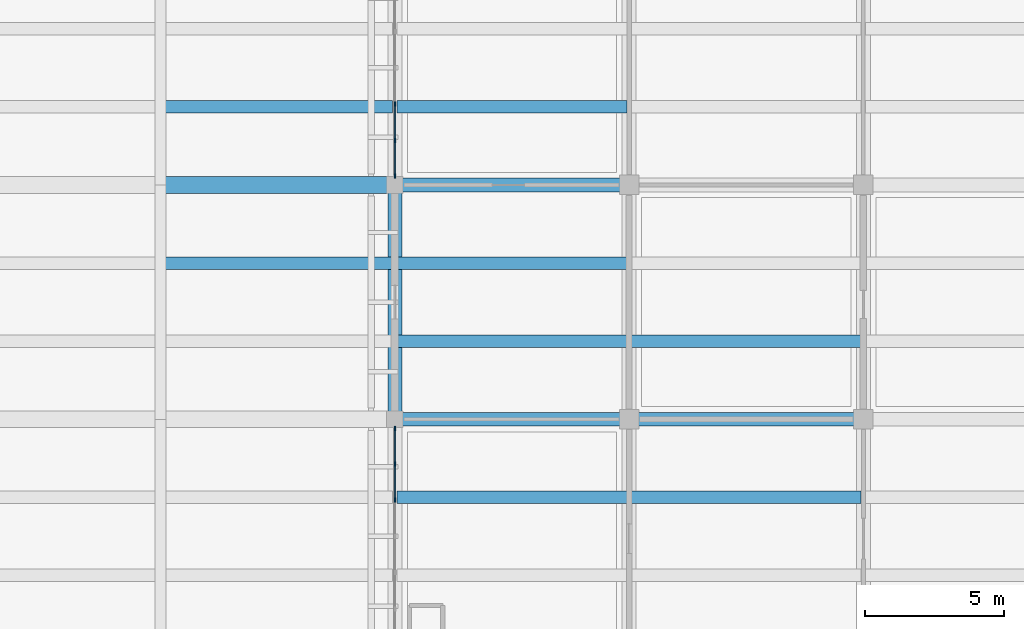
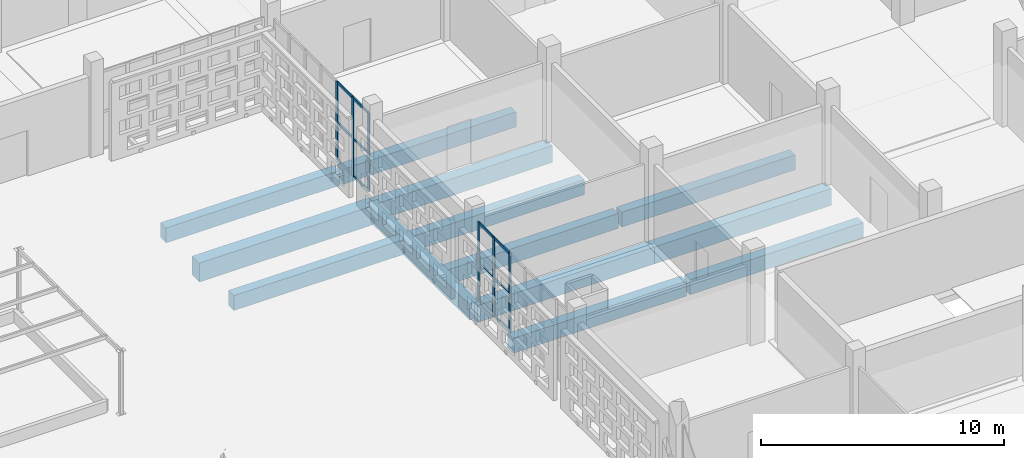
# One storey, part 41 of 129: 18 members, 13 beams, 2 elements without a shape of their own.
"""IFC4 building model written with IfcOpenShell, lengths in metres."""

from ifc_helpers import new_model, si_unit, direction, frame, origin, origin_2d, place, context, subcontext, project, spatial, rectangle, extrude, material, layer, layer_set, material_profile, profile_set, type_object, element, aggregate, save


model = new_model("IFC4")

# Units and contexts
model_context = context("Model", 3, precision=1e-05, world=origin(), true_north=direction((0.0, 1.0)))
body_context = subcontext(model_context, "Body", "Model", "MODEL_VIEW")
ifc_project = project(units=[si_unit("LENGTHUNIT", "METRE"), si_unit("AREAUNIT", "SQUARE_METRE"), si_unit("VOLUMEUNIT", "CUBIC_METRE"), si_unit("PLANEANGLEUNIT", "RADIAN"), si_unit("MASSUNIT", "GRAM", prefix="KILO")], contexts=[model_context])

# Site, building, storey
site_placement = place(None, origin())
site = spatial("IfcSite", under=ifc_project, at=site_placement, CompositionType="ELEMENT")
building_placement = place(site_placement, origin())
building = spatial("IfcBuilding", under=site, at=building_placement, Name="Varnapada Polytechnic", CompositionType="ELEMENT")
storey_placement = place(building_placement, origin())
storey = spatial("IfcBuildingStorey", under=building, at=storey_placement, Name="L00", CompositionType="ELEMENT", Elevation=0.0)

# Beams
ifc_material_1 = material(Name="Concrete C40/50", Category="concrete")
ifc_material_profile_1 = material_profile(ifc_material_1, rectangle(XDim=0.449951171875, YDim=0.75, at=origin_2d()), Name="RC 450x750")
ifc_profile_set_1 = profile_set([ifc_material_profile_1], Name="Concrete C40/50")
beam_type_1 = type_object("IfcBeamType", Name="Basement/podium secondary beam BB-01 (RC 450x750)", PredefinedType="BEAM", material=ifc_profile_set_1)
for number, where, z_axis, x_axis, name in (
    (1, (126.080078125, 72.800048828125, -0.675048828125), (1.0, 0.0, 0.0), (0.0, 1.0, 0.0), "L00 floor joist 16/9.2"),
    (2, (126.080078125, 78.39990234375, -0.675048828125), (1.0, 0.0, 0.0), (0.0, 1.0, 0.0), "L00 floor joist 16/10.1"),
    (3, (134.47998046875, 64.39990234375, -0.675048828125), (1.0, 0.0, 0.0), (0.0, 1.0, 0.0), "L00 floor joist 17/8.2"),
    (4, (134.47998046875, 70.0, -0.675048828125), (1.0, 0.0, 0.0), (0.0, 1.0, 0.0), "L00 floor joist 17/9.1"),
    (5, (134.47998046875, 72.800048828125, -0.675048828125), (1.0, 0.0, 0.0), (0.0, 1.0, 0.0), "L00 floor joist 17/9.2"),
    (6, (134.47998046875, 78.39990234375, -0.675048828125), (1.0, 0.0, 0.0), (0.0, 1.0, 0.0), "L00 floor joist 17/10.1"),
):
    element("IfcBeam", number, at=place(storey_placement, frame(where, z_axis=z_axis, x_axis=x_axis)), inside=storey, type_object=beam_type_1, Name=name, PredefinedType="BEAM", context=body_context, shape_type="SweptSolid", body=[
        extrude(rectangle(XDim=0.449951171875, YDim=0.75, at=origin_2d()), origin(), (0.0, 0.0, 1.0), 8.239990234375),
    ])
for number, where, z_axis, x_axis, name in (
    (7, (142.8798828125, 64.39990234375, -0.675048828125), (1.0, 0.0, 0.0), (0.0, 1.0, 0.0), "L00 floor joist 18/8.2"),
    (8, (142.8798828125, 70.0, -0.675048828125), (1.0, 0.0, 0.0), (0.0, 1.0, 0.0), "L00 floor joist 18/9.1"),
):
    element("IfcBeam", number, at=place(storey_placement, frame(where, z_axis=z_axis, x_axis=x_axis)), inside=storey, type_object=beam_type_1, Name=name, PredefinedType="BEAM", context=body_context, shape_type="SweptSolid", body=[
        extrude(rectangle(XDim=0.449951171875, YDim=0.75, at=origin_2d()), origin(), (0.0, 0.0, 1.0), 8.240234375),
    ])

# Curtain wall, members
ifc_material_2 = material(Name="Double low-E laminated glass", Category="glass")
ifc_layer = layer(ifc_material_2, 0.159912109375)
ifc_layer_set = layer_set([ifc_layer], Name="Double low-E laminated glass")
curtain_wall_type = type_object("IfcCurtainWallType", Name="Curtain Wall CW-01", PredefinedType="NOTDEFINED", material=ifc_layer_set)
curtain_wall_1_placement = place(storey_placement, origin())
curtain_wall_1 = element("IfcCurtainWall", 9, at=curtain_wall_1_placement, inside=storey, type_object=curtain_wall_type, Name="L00 unitised curtain wall CW-01 (17)", PredefinedType="NOTDEFINED")
ifc_material_3 = material(Name="Anodised aluminium", Category="aluminium")
ifc_material_profile_2 = material_profile(ifc_material_3, rectangle(XDim=0.06005859375, YDim=0.159912109375, at=origin_2d()), Name="ALU M60x160")
ifc_profile_set_2 = profile_set([ifc_material_profile_2], Name="Anodised aluminium")
member_type_1 = type_object("IfcMemberType", Name="Mullion M-01", PredefinedType="MULLION", material=ifc_profile_set_2)
member_1_placement = place(storey_placement, frame((134.39990234375, 64.300048828125, 0.0), z_axis=(0.0, 0.0, 1.0), x_axis=(-1.0, 0.0, 0.0)))
member_1 = element("IfcMember", 10, at=member_1_placement, type_object=member_type_1, Name="CW-01 mullion 5", PredefinedType="MULLION", context=body_context, shape_type="SweptSolid", body=[
    extrude(rectangle(XDim=0.06005859375, YDim=0.159912109375, at=origin_2d()), origin(), (0.0, 0.0, 1.0), 3.9599609375),
])
member_2_placement = place(storey_placement, frame((134.39990234375, 65.60009765625, 0.0), z_axis=(0.0, 0.0, 1.0), x_axis=(-1.0, 0.0, 0.0)))
member_2 = element("IfcMember", 11, at=member_2_placement, type_object=member_type_1, Name="CW-01 mullion 6", PredefinedType="MULLION", context=body_context, shape_type="SweptSolid", body=[
    extrude(rectangle(XDim=0.06005859375, YDim=0.159912109375, at=origin_2d()), origin(), (0.0, 0.0, 1.0), 3.9599609375),
])
member_3_placement = place(storey_placement, frame((134.39990234375, 66.8701171875, 0.0), z_axis=(0.0, 0.0, 1.0), x_axis=(-1.0, 0.0, 0.0)))
member_3 = element("IfcMember", 12, at=member_3_placement, type_object=member_type_1, Name="CW-01 mullion 7", PredefinedType="MULLION", context=body_context, shape_type="SweptSolid", body=[
    extrude(rectangle(XDim=0.06005859375, YDim=0.159912109375, at=origin_2d()), origin(), (0.0, 0.0, 1.0), 3.9599609375),
])

curtain_wall_2_placement = place(storey_placement, origin())
curtain_wall_2 = element("IfcCurtainWall", 13, at=curtain_wall_2_placement, inside=storey, type_object=curtain_wall_type, Name="L00 unitised curtain wall CW-01 (18)", PredefinedType="NOTDEFINED")
member_4_placement = place(storey_placement, frame((134.39990234375, 75.929931640625, 0.0), z_axis=(0.0, 0.0, 1.0), x_axis=(-1.0, 0.0, 0.0)))
member_4 = element("IfcMember", 14, at=member_4_placement, type_object=member_type_1, Name="CW-01 mullion 1", PredefinedType="MULLION", context=body_context, shape_type="SweptSolid", body=[
    extrude(rectangle(XDim=0.06005859375, YDim=0.159912109375, at=origin_2d()), origin(), (0.0, 0.0, 1.0), 3.9599609375),
])
member_5_placement = place(storey_placement, frame((134.39990234375, 77.199951171875, 0.0), z_axis=(0.0, 0.0, 1.0), x_axis=(-1.0, 0.0, 0.0)))
member_5 = element("IfcMember", 15, at=member_5_placement, type_object=member_type_1, Name="CW-01 mullion 2", PredefinedType="MULLION", context=body_context, shape_type="SweptSolid", body=[
    extrude(rectangle(XDim=0.06005859375, YDim=0.159912109375, at=origin_2d()), origin(), (0.0, 0.0, 1.0), 3.9599609375),
])
member_6_placement = place(storey_placement, frame((134.39990234375, 78.5, 0.0), z_axis=(0.0, 0.0, 1.0), x_axis=(-1.0, 0.0, 0.0)))
member_6 = element("IfcMember", 16, at=member_6_placement, type_object=member_type_1, Name="CW-01 mullion 3", PredefinedType="MULLION", context=body_context, shape_type="SweptSolid", body=[
    extrude(rectangle(XDim=0.06005859375, YDim=0.159912109375, at=origin_2d()), origin(), (0.0, 0.0, 1.0), 3.9599609375),
])

# Beams
ifc_material_profile_3 = material_profile(ifc_material_1, rectangle(XDim=0.5, YDim=0.800048828125, at=origin_2d()), Name="RC 500x800")
ifc_profile_set_3 = profile_set([ifc_material_profile_3], Name="Concrete C40/50")
beam_type_2 = type_object("IfcBeamType", Name="Refectory podium girder BB-03 (RC 500x800)", PredefinedType="BEAM", material=ifc_profile_set_3)
beam_1_placement = place(storey_placement, frame((134.39990234375, 67.199951171875, -0.699951171875), z_axis=(0.0, 1.0, 0.0), x_axis=(-1.0, 0.0, 0.0)))
element("IfcBeam", 17, at=beam_1_placement, inside=storey, type_object=beam_type_2, Name="L00 beam Y 9-10 at X17", PredefinedType="BEAM", context=body_context, shape_type="SweptSolid", body=[
    extrude(rectangle(XDim=0.5, YDim=0.800048828125, at=origin_2d()), origin(), (0.0, 0.0, 1.0), 8.400146484375),
])
ifc_material_profile_4 = material_profile(ifc_material_1, rectangle(XDim=0.5, YDim=0.85009765625, at=origin_2d()), Name="RC 500x850")
ifc_profile_set_4 = profile_set([ifc_material_profile_4], Name="Concrete C40/50")
beam_type_3 = type_object("IfcBeamType", Name="Standard podium primary girder BG-02 (RC 500x850)", PredefinedType="T_BEAM", material=ifc_profile_set_4)
for number, where, z_axis, x_axis, name in (
    (18, (134.39990234375, 67.199951171875, -0.72509765625), (1.0, 0.0, 0.0), (0.0, 1.0, 0.0), "L00 beam X 17-18 at Y9"),
    (19, (134.39990234375, 75.60009765625, -0.72509765625), (1.0, 0.0, 0.0), (0.0, 1.0, 0.0), "L00 beam X 17-18 at Y10"),
):
    element("IfcBeam", number, at=place(storey_placement, frame(where, z_axis=z_axis, x_axis=x_axis)), inside=storey, type_object=beam_type_3, Name=name, PredefinedType="T_BEAM", context=body_context, shape_type="SweptSolid", body=[
        extrude(rectangle(XDim=0.5, YDim=0.85009765625, at=origin_2d()), origin(), (0.0, 0.0, 1.0), 8.400146484375),
    ])
beam_2_placement = place(storey_placement, frame((142.800048828125, 67.199951171875, -0.72509765625), z_axis=(1.0, 0.0, 0.0), x_axis=(0.0, 1.0, 0.0)))
element("IfcBeam", 20, at=beam_2_placement, inside=storey, type_object=beam_type_3, Name="L00 beam X 18-19 at Y9", PredefinedType="T_BEAM", context=body_context, shape_type="SweptSolid", body=[
    extrude(rectangle(XDim=0.5, YDim=0.85009765625, at=origin_2d()), origin(), (0.0, 0.0, 1.0), 8.39990234375),
])

# Member
ifc_material_profile_5 = material_profile(ifc_material_3, rectangle(XDim=0.06005859375, YDim=0.1201171875, at=origin_2d()), Name="ALU T60x120")
ifc_profile_set_5 = profile_set([ifc_material_profile_5], Name="Anodised aluminium")
member_type_2 = type_object("IfcMemberType", Name="Transom T-01", PredefinedType="USERDEFINED", material=ifc_profile_set_5)
member_7_placement = place(storey_placement, frame((134.39990234375, 64.330078125, 0.030029296875), z_axis=(0.0, 1.0, 0.0), x_axis=(-1.0, 0.0, 0.0)))
member_7 = element("IfcMember", 21, at=member_7_placement, type_object=member_type_2, Name="CW-01 transom 5.1", ObjectType="TRANSOM", PredefinedType="USERDEFINED", context=body_context, shape_type="SweptSolid", body=[
    extrude(rectangle(XDim=0.06005859375, YDim=0.1201171875, at=origin_2d()), origin(), (0.0, 0.0, 1.0), 1.239990234375),
])

member_8_placement = place(storey_placement, frame((134.39990234375, 64.330078125, 1.90087890625), z_axis=(0.0, 1.0, 0.0), x_axis=(-1.0, 0.0, 0.0)))
member_8 = element("IfcMember", 22, at=member_8_placement, type_object=member_type_2, Name="CW-01 transom 5.2", ObjectType="TRANSOM", PredefinedType="USERDEFINED", context=body_context, shape_type="SweptSolid", body=[
    extrude(rectangle(XDim=0.06005859375, YDim=0.1201171875, at=origin_2d()), origin(), (0.0, 0.0, 1.0), 1.239990234375),
])

member_9_placement = place(storey_placement, frame((134.39990234375, 64.330078125, 3.929931640625), z_axis=(0.0, 1.0, 0.0), x_axis=(-1.0, 0.0, 0.0)))
member_9 = element("IfcMember", 23, at=member_9_placement, type_object=member_type_2, Name="CW-01 transom 5.3", ObjectType="TRANSOM", PredefinedType="USERDEFINED", context=body_context, shape_type="SweptSolid", body=[
    extrude(rectangle(XDim=0.06005859375, YDim=0.1201171875, at=origin_2d()), origin(), (0.0, 0.0, 1.0), 1.239990234375),
])

member_10_placement = place(storey_placement, frame((134.39990234375, 65.6298828125, 0.030029296875), z_axis=(0.0, 1.0, 0.0), x_axis=(-1.0, 0.0, 0.0)))
member_10 = element("IfcMember", 24, at=member_10_placement, type_object=member_type_2, Name="CW-01 transom 6.1", ObjectType="TRANSOM", PredefinedType="USERDEFINED", context=body_context, shape_type="SweptSolid", body=[
    extrude(rectangle(XDim=0.06005859375, YDim=0.1201171875, at=origin_2d()), origin(), (0.0, 0.0, 1.0), 1.210205078125),
])

member_11_placement = place(storey_placement, frame((134.39990234375, 65.6298828125, 1.90087890625), z_axis=(0.0, 1.0, 0.0), x_axis=(-1.0, 0.0, 0.0)))
member_11 = element("IfcMember", 25, at=member_11_placement, type_object=member_type_2, Name="CW-01 transom 6.2", ObjectType="TRANSOM", PredefinedType="USERDEFINED", context=body_context, shape_type="SweptSolid", body=[
    extrude(rectangle(XDim=0.06005859375, YDim=0.1201171875, at=origin_2d()), origin(), (0.0, 0.0, 1.0), 1.210205078125),
])

member_12_placement = place(storey_placement, frame((134.39990234375, 65.6298828125, 3.929931640625), z_axis=(0.0, 1.0, 0.0), x_axis=(-1.0, 0.0, 0.0)))
member_12 = element("IfcMember", 26, at=member_12_placement, type_object=member_type_2, Name="CW-01 transom 6.3", ObjectType="TRANSOM", PredefinedType="USERDEFINED", context=body_context, shape_type="SweptSolid", body=[
    extrude(rectangle(XDim=0.06005859375, YDim=0.1201171875, at=origin_2d()), origin(), (0.0, 0.0, 1.0), 1.210205078125),
])

aggregate(curtain_wall_1, [member_1, member_2, member_3, member_7, member_8, member_9, member_10, member_11, member_12])

member_13_placement = place(storey_placement, frame((134.39990234375, 75.9599609375, 0.030029296875), z_axis=(0.0, 1.0, 0.0), x_axis=(-1.0, 0.0, 0.0)))
member_13 = element("IfcMember", 27, at=member_13_placement, type_object=member_type_2, Name="CW-01 transom 1.1", ObjectType="TRANSOM", PredefinedType="USERDEFINED", context=body_context, shape_type="SweptSolid", body=[
    extrude(rectangle(XDim=0.06005859375, YDim=0.1201171875, at=origin_2d()), origin(), (0.0, 0.0, 1.0), 1.2099609375),
])

member_14_placement = place(storey_placement, frame((134.39990234375, 75.9599609375, 1.90087890625), z_axis=(0.0, 1.0, 0.0), x_axis=(-1.0, 0.0, 0.0)))
member_14 = element("IfcMember", 28, at=member_14_placement, type_object=member_type_2, Name="CW-01 transom 1.2", ObjectType="TRANSOM", PredefinedType="USERDEFINED", context=body_context, shape_type="SweptSolid", body=[
    extrude(rectangle(XDim=0.06005859375, YDim=0.1201171875, at=origin_2d()), origin(), (0.0, 0.0, 1.0), 1.2099609375),
])

member_15_placement = place(storey_placement, frame((134.39990234375, 75.9599609375, 3.929931640625), z_axis=(0.0, 1.0, 0.0), x_axis=(-1.0, 0.0, 0.0)))
member_15 = element("IfcMember", 29, at=member_15_placement, type_object=member_type_2, Name="CW-01 transom 1.3", ObjectType="TRANSOM", PredefinedType="USERDEFINED", context=body_context, shape_type="SweptSolid", body=[
    extrude(rectangle(XDim=0.06005859375, YDim=0.1201171875, at=origin_2d()), origin(), (0.0, 0.0, 1.0), 1.2099609375),
])

member_16_placement = place(storey_placement, frame((134.39990234375, 77.22998046875, 0.030029296875), z_axis=(0.0, 1.0, 0.0), x_axis=(-1.0, 0.0, 0.0)))
member_16 = element("IfcMember", 30, at=member_16_placement, type_object=member_type_2, Name="CW-01 transom 2.1", ObjectType="TRANSOM", PredefinedType="USERDEFINED", context=body_context, shape_type="SweptSolid", body=[
    extrude(rectangle(XDim=0.06005859375, YDim=0.1201171875, at=origin_2d()), origin(), (0.0, 0.0, 1.0), 1.239990234375),
])

member_17_placement = place(storey_placement, frame((134.39990234375, 77.22998046875, 1.90087890625), z_axis=(0.0, 1.0, 0.0), x_axis=(-1.0, 0.0, 0.0)))
member_17 = element("IfcMember", 31, at=member_17_placement, type_object=member_type_2, Name="CW-01 transom 2.2", ObjectType="TRANSOM", PredefinedType="USERDEFINED", context=body_context, shape_type="SweptSolid", body=[
    extrude(rectangle(XDim=0.06005859375, YDim=0.1201171875, at=origin_2d()), origin(), (0.0, 0.0, 1.0), 1.239990234375),
])

member_18_placement = place(storey_placement, frame((134.39990234375, 77.22998046875, 3.929931640625), z_axis=(0.0, 1.0, 0.0), x_axis=(-1.0, 0.0, 0.0)))
member_18 = element("IfcMember", 32, at=member_18_placement, type_object=member_type_2, Name="CW-01 transom 2.3", ObjectType="TRANSOM", PredefinedType="USERDEFINED", context=body_context, shape_type="SweptSolid", body=[
    extrude(rectangle(XDim=0.06005859375, YDim=0.1201171875, at=origin_2d()), origin(), (0.0, 0.0, 1.0), 1.239990234375),
])

aggregate(curtain_wall_2, [member_4, member_5, member_6, member_13, member_14, member_15, member_16, member_17, member_18])

# Beam
ifc_material_profile_6 = material_profile(ifc_material_1, rectangle(XDim=0.60009765625, YDim=0.949951171875, at=origin_2d()), Name="RC 600x950")
ifc_profile_set_6 = profile_set([ifc_material_profile_6], Name="Concrete C40/50")
beam_type_4 = type_object("IfcBeamType", Name="Workshop podium heavy girder BG-03 (RC 600x950)", PredefinedType="T_BEAM", material=ifc_profile_set_6)
beam_3_placement = place(storey_placement, frame((126.0, 75.60009765625, -0.77490234375), z_axis=(1.0, 0.0, 0.0), x_axis=(0.0, 1.0, 0.0)))
element("IfcBeam", 33, at=beam_3_placement, inside=storey, type_object=beam_type_4, Name="L00 beam X 16-17 at Y10", PredefinedType="T_BEAM", context=body_context, shape_type="SweptSolid", body=[
    extrude(rectangle(XDim=0.60009765625, YDim=0.949951171875, at=origin_2d()), origin(), (0.0, 0.0, 1.0), 8.39990234375),
])

save(model, "model.ifc")
